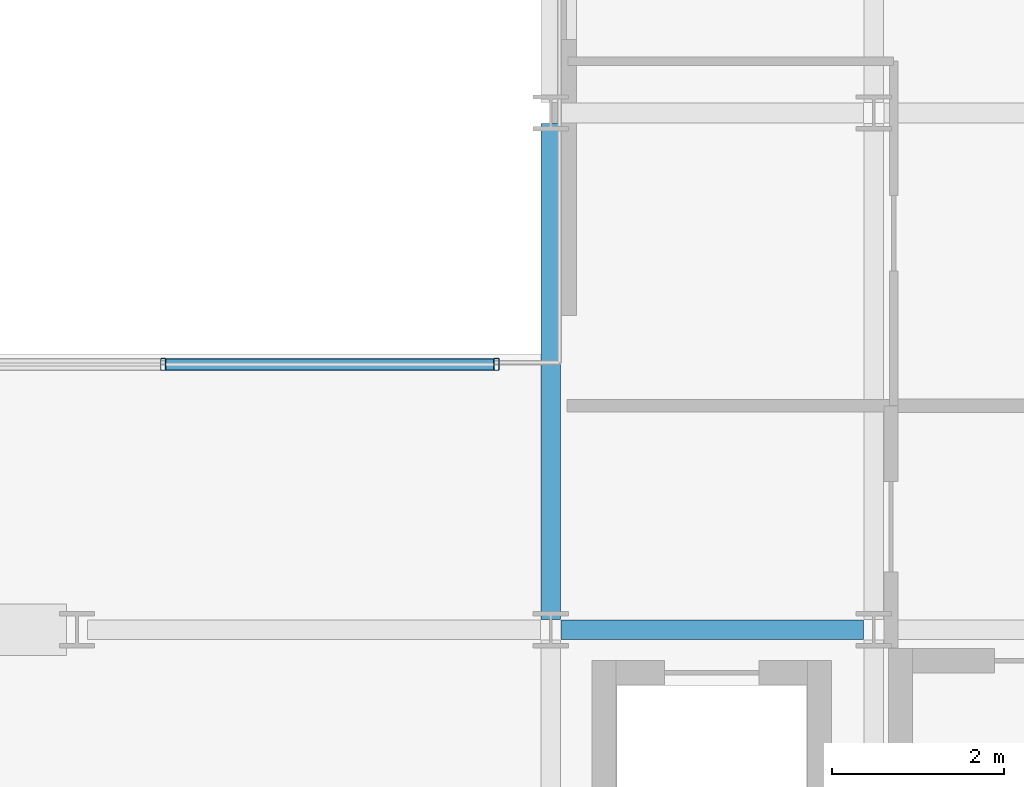
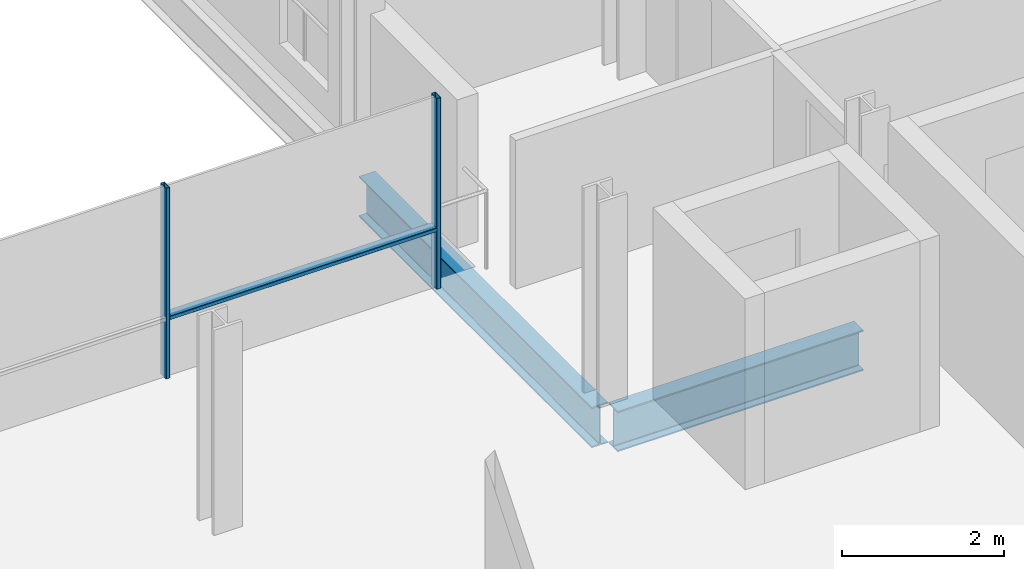
# One storey, part 13 of 38: 3 members, 2 beams, 1 element without a shape of its own.
"""IFC4 building model written with IfcOpenShell, lengths in metres."""

from ifc_helpers import new_model, si_unit, direction, frame, origin, origin_2d, place, context, subcontext, project, spatial, hollow_rectangle, i_section, extrude, material, layer, layer_set, material_profile, profile_set, type_object, element, aggregate, save


model = new_model("IFC4")

# Units and contexts
model_context = context("Model", 3, precision=1e-05, world=origin(), true_north=direction((0.0, 1.0)))
body_context = subcontext(model_context, "Body", "Model", "MODEL_VIEW")
ifc_project = project(units=[si_unit("LENGTHUNIT", "METRE"), si_unit("AREAUNIT", "SQUARE_METRE"), si_unit("VOLUMEUNIT", "CUBIC_METRE"), si_unit("PLANEANGLEUNIT", "RADIAN"), si_unit("MASSUNIT", "GRAM", prefix="KILO")], contexts=[model_context])

# Site, building, storey
site_placement = place(None, origin())
site = spatial("IfcSite", under=ifc_project, at=site_placement, CompositionType="ELEMENT")
building_placement = place(site_placement, origin())
building = spatial("IfcBuilding", under=site, at=building_placement, Name="Brevholm Reach", CompositionType="ELEMENT")
storey_placement = place(building_placement, frame((0.0, 0.0, 128.300048828125)))
storey = spatial("IfcBuildingStorey", under=building, at=storey_placement, Name="L38", CompositionType="ELEMENT", Elevation=128.300048828125)

# Beams
ifc_material_1 = material(Name="Structural Steel S355J2", Category="steel")
ifc_material_profile_1 = material_profile(ifc_material_1, i_section(OverallWidth=0.22900390625, OverallDepth=0.6123046875, WebThickness=0.011962890625, FlangeThickness=0.01953125, FilletRadius=0.0126953125, at=origin_2d()), Name="UKB 610x229x125")
ifc_profile_set_1 = profile_set([ifc_material_profile_1], Name="Structural Steel S355J2")
beam_type = type_object("IfcBeamType", Name="BM-SP610", PredefinedType="SPANDREL", material=ifc_profile_set_1)
beam_1_placement = place(storey_placement, frame((38.3701171875, 10.0, -0.526123046875), z_axis=(1.0, 0.0, 0.0), x_axis=(0.0, 1.0, 0.0)))
element("IfcBeam", 1, at=beam_1_placement, inside=storey, type_object=beam_type, Name="L38 SP-01 Framing Beam", PredefinedType="SPANDREL", context=body_context, shape_type="SweptSolid", body=[
    extrude(i_section(OverallWidth=0.22900390625, OverallDepth=0.6123046875, WebThickness=0.011962890625, FlangeThickness=0.01953125, FilletRadius=0.0126953125, at=origin_2d()), origin(), (0.0, 0.0, 1.0), 3.509765625),
])
beam_2_placement = place(storey_placement, frame((38.25, 10.1201171875, -0.526123046875), z_axis=(0.0, 1.0, 0.0), x_axis=(-1.0, 0.0, 0.0)))
element("IfcBeam", 2, at=beam_2_placement, inside=storey, type_object=beam_type, Name="L38 SP-01 Framing Beam", PredefinedType="SPANDREL", context=body_context, shape_type="SweptSolid", body=[
    extrude(i_section(OverallWidth=0.22900390625, OverallDepth=0.6123046875, WebThickness=0.011962890625, FlangeThickness=0.01953125, FilletRadius=0.0126953125, at=origin_2d()), origin(), (0.0, 0.0, 1.0), 5.759765625),
])

# Curtain wall, members
ifc_material_2 = material(Name="Dark Anodised Aluminium 6063-T6 and Solar-Control Glass", Category="aluminium")
ifc_layer = layer(ifc_material_2, 0.139892578125)
ifc_layer_set = layer_set([ifc_layer], Name="Dark Anodised Aluminium 6063-T6 and Solar-Control Glass")
curtain_wall_type = type_object("IfcCurtainWallType", Name="CW-02", PredefinedType="NOTDEFINED", material=ifc_layer_set)
curtain_wall_placement = place(storey_placement, origin())
curtain_wall = element("IfcCurtainWall", 3, at=curtain_wall_placement, inside=storey, type_object=curtain_wall_type, Name="L38 Curtain Wall CW-02", PredefinedType="NOTDEFINED")
ifc_material_3 = material(Name="Dark Anodised Aluminium 6063-T6", Category="aluminium")
ifc_material_profile_2 = material_profile(ifc_material_3, hollow_rectangle(XDim=0.06005859375, YDim=0.139892578125, WallThickness=0.0048828125, InnerFilletRadius=0.0048828125, OuterFilletRadius=0.010009765625, at=origin_2d()), Name="RHS 140x60x5")
ifc_profile_set_2 = profile_set([ifc_material_profile_2], Name="Dark Anodised Aluminium 6063-T6")
member_type_1 = type_object("IfcMemberType", Name="CWM-140", PredefinedType="MULLION", material=ifc_profile_set_2)
member_1_placement = place(storey_placement, frame((33.75, 13.080078125, 0.0), z_axis=(0.0, 0.0, 1.0), x_axis=(1.0, 0.0, 0.0)))
member_1 = element("IfcMember", 4, at=member_1_placement, type_object=member_type_1, Name="CM-140 Mullion 4", PredefinedType="MULLION", context=body_context, shape_type="SweptSolid", body=[
    extrude(hollow_rectangle(XDim=0.06005859375, YDim=0.139892578125, WallThickness=0.0048828125, InnerFilletRadius=0.0048828125, OuterFilletRadius=0.010009765625, at=origin_2d()), origin(), (0.0, 0.0, 1.0), 2.8798828125),
])
member_2_placement = place(storey_placement, frame((37.6201171875, 13.080078125, 0.0), z_axis=(0.0, 0.0, 1.0), x_axis=(1.0, 0.0, 0.0)))
member_2 = element("IfcMember", 5, at=member_2_placement, type_object=member_type_1, Name="CM-140 Mullion 5", PredefinedType="MULLION", context=body_context, shape_type="SweptSolid", body=[
    extrude(hollow_rectangle(XDim=0.06005859375, YDim=0.139892578125, WallThickness=0.0048828125, InnerFilletRadius=0.0048828125, OuterFilletRadius=0.010009765625, at=origin_2d()), origin(), (0.0, 0.0, 1.0), 2.8798828125),
])
ifc_material_4 = material(Name="Dark Anodised Aluminium 6063-T6", Category="aluminium")
ifc_material_profile_3 = material_profile(ifc_material_4, hollow_rectangle(XDim=0.06005859375, YDim=0.139892578125, WallThickness=0.0048828125, InnerFilletRadius=0.0048828125, OuterFilletRadius=0.010009765625, at=origin_2d()), Name="RHS 140x60x5")
ifc_profile_set_3 = profile_set([ifc_material_profile_3], Name="Dark Anodised Aluminium 6063-T6")
member_type_2 = type_object("IfcMemberType", Name="CWT-140", PredefinedType="NOTDEFINED", material=ifc_profile_set_3)
member_3_placement = place(storey_placement, frame((33.780029296875, 13.080078125, 0.89990234375), z_axis=(1.0, 0.0, 0.0), x_axis=(0.0, 0.0, 1.0)))
member_3 = element("IfcMember", 6, at=member_3_placement, type_object=member_type_2, Name="CT-140 Transom 4.1", ObjectType="TRANSOM", PredefinedType="USERDEFINED", context=body_context, shape_type="SweptSolid", body=[
    extrude(hollow_rectangle(XDim=0.06005859375, YDim=0.139892578125, WallThickness=0.0048828125, InnerFilletRadius=0.0048828125, OuterFilletRadius=0.010009765625, at=origin_2d()), origin(), (0.0, 0.0, 1.0), 3.81005859375),
])
aggregate(curtain_wall, [member_1, member_2, member_3])

save(model, "model.ifc")
